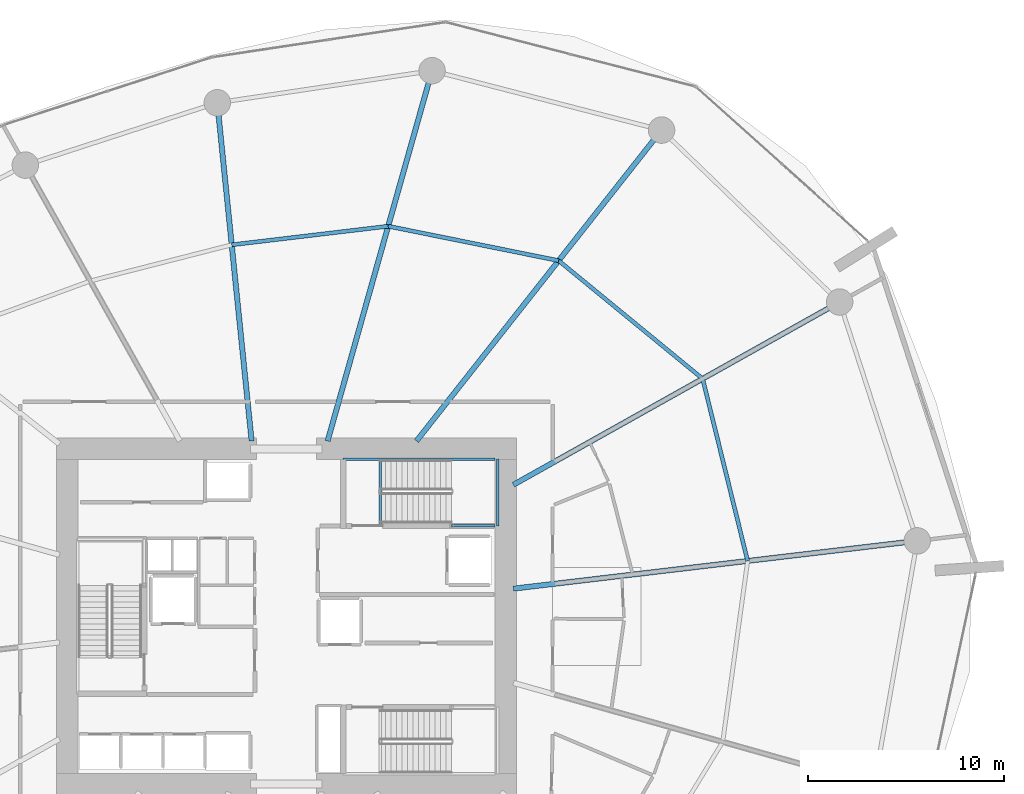
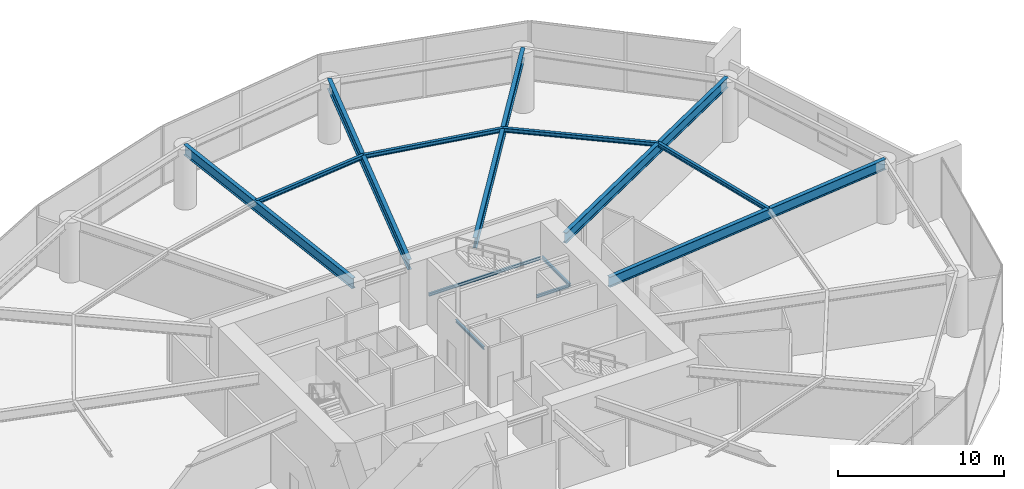
# One storey, part 14 of 22: 13 beams.
"""IFC4 building model written with IfcOpenShell, lengths in metres."""

from ifc_helpers import new_model, si_unit, direction, frame, origin, origin_2d, place, context, subcontext, project, spatial, i_section, extrude, material, material_profile, profile_set, type_object, element, save


model = new_model("IFC4")

# Units and contexts
model_context = context("Model", 3, precision=1e-05, world=origin(), true_north=direction((0.0, 1.0)))
body_context = subcontext(model_context, "Body", "Model", "MODEL_VIEW")
ifc_project = project(units=[si_unit("LENGTHUNIT", "METRE"), si_unit("AREAUNIT", "SQUARE_METRE"), si_unit("VOLUMEUNIT", "CUBIC_METRE"), si_unit("PLANEANGLEUNIT", "RADIAN"), si_unit("MASSUNIT", "GRAM", prefix="KILO")], contexts=[model_context])

# Site, building, storey
site_placement = place(None, origin())
site = spatial("IfcSite", under=ifc_project, at=site_placement, CompositionType="ELEMENT")
building_placement = place(site_placement, origin())
building = spatial("IfcBuilding", under=site, at=building_placement, Name="Kazma Halo Residences", CompositionType="ELEMENT")
storey_placement = place(building_placement, frame((0.0, 0.0, 16.800048828125)))
storey = spatial("IfcBuildingStorey", under=building, at=storey_placement, Name="L03", CompositionType="ELEMENT", Elevation=16.800048828125)

# Beams
ifc_material = material(Name="Steel S355", Category="steel")
ifc_material_profile_1 = material_profile(ifc_material, i_section(OverallWidth=0.26708984375, OverallDepth=0.761962890625, WebThickness=0.014404296875, FlangeThickness=0.021484375, FilletRadius=0.02001953125, at=origin_2d()), Name="W760x173")
ifc_profile_set_1 = profile_set([ifc_material_profile_1], Name="Steel S355")
beam_type_1 = type_object("IfcBeamType", Name="BM-POD-W760", PredefinedType="BEAM", material=ifc_profile_set_1)
beam_1_placement = place(storey_placement, frame((60.0, 48.72021484375, 4.01904296875), z_axis=(0.872493349369, 0.488625987139, 0.0), x_axis=(-0.488625987139, 0.872493349369, 0.0)))
element("IfcBeam", 1, at=beam_1_placement, inside=storey, type_object=beam_type_1, Name="L03 radial floor beam 01", PredefinedType="BEAM", context=body_context, shape_type="SweptSolid", body=[
    extrude(i_section(OverallWidth=0.26708984375, OverallDepth=0.761962890625, WebThickness=0.014404296875, FlangeThickness=0.021484375, FilletRadius=0.02001953125, at=origin_2d()), origin(), (0.0, 0.0, 1.0), 19.0634765625),
])
beam_2_placement = place(storey_placement, frame((55.0556640625, 50.949951171875, 4.01904296875), z_axis=(0.619089277374, 0.785320613915, 0.0), x_axis=(-0.785320613915, 0.619089277374, 0.0)))
element("IfcBeam", 2, at=beam_2_placement, inside=storey, type_object=beam_type_1, Name="L03 radial floor beam 02", PredefinedType="BEAM", context=body_context, shape_type="SweptSolid", body=[
    extrude(i_section(OverallWidth=0.26708984375, OverallDepth=0.761962890625, WebThickness=0.014404296875, FlangeThickness=0.021484375, FilletRadius=0.02001953125, at=origin_2d()), origin(), (0.0, 0.0, 1.0), 20.18701171875),
])
beam_3_placement = place(storey_placement, frame((50.524169921875, 50.949951171875, 4.01904296875), z_axis=(0.271433858007, 0.962457095526, 0.0), x_axis=(-0.962457095526, 0.271433858007, 0.0)))
element("IfcBeam", 3, at=beam_3_placement, inside=storey, type_object=beam_type_1, Name="L03 radial floor beam 03", PredefinedType="BEAM", context=body_context, shape_type="SweptSolid", body=[
    extrude(i_section(OverallWidth=0.26708984375, OverallDepth=0.761962890625, WebThickness=0.014404296875, FlangeThickness=0.021484375, FilletRadius=0.02001953125, at=origin_2d()), origin(), (0.0, 0.0, 1.0), 19.617919921875),
])
beam_4_placement = place(storey_placement, frame((46.64990234375, 50.949951171875, 4.01904296875), z_axis=(-0.100981723867, 0.994888280886, 0.0), x_axis=(-0.994888280886, -0.100981723867, 0.0)))
element("IfcBeam", 4, at=beam_4_placement, inside=storey, type_object=beam_type_1, Name="L03 radial floor beam 04", PredefinedType="BEAM", context=body_context, shape_type="SweptSolid", body=[
    extrude(i_section(OverallWidth=0.26708984375, OverallDepth=0.761962890625, WebThickness=0.014404296875, FlangeThickness=0.021484375, FilletRadius=0.02001953125, at=origin_2d()), origin(), (0.0, 0.0, 1.0), 17.334716796875),
])
beam_5_placement = place(storey_placement, frame((60.0, 43.42041015625, 4.01904296875), z_axis=(0.993069425949, 0.117529210178, 0.0), x_axis=(-0.117529210178, 0.993069425949, 0.0)))
element("IfcBeam", 5, at=beam_5_placement, inside=storey, type_object=beam_type_1, Name="L03 radial floor beam 16", PredefinedType="BEAM", context=body_context, shape_type="SweptSolid", body=[
    extrude(i_section(OverallWidth=0.26708984375, OverallDepth=0.761962890625, WebThickness=0.014404296875, FlangeThickness=0.021484375, FilletRadius=0.02001953125, at=origin_2d()), origin(), (0.0, 0.0, 1.0), 20.7333984375),
])
ifc_material_profile_2 = material_profile(ifc_material, i_section(OverallWidth=0.202880859375, OverallDepth=0.302978515625, WebThickness=0.007568359375, FlangeThickness=0.01318359375, FilletRadius=0.013916015625, at=origin_2d()), Name="W310x60")
ifc_profile_set_2 = profile_set([ifc_material_profile_2], Name="Steel S355")
beam_type_2 = type_object("IfcBeamType", Name="BM-SEC-W310A", PredefinedType="JOIST", material=ifc_profile_set_2)
beam_6_placement = place(storey_placement, frame((69.64697265625, 54.122802734375, 4.24853515625), z_axis=(-0.773208794724, 0.634151527446, 0.0), x_axis=(-0.634151527446, -0.773208794724, 0.0)))
element("IfcBeam", 6, at=beam_6_placement, inside=storey, type_object=beam_type_2, Name="L03 circumferential floor joist 01", PredefinedType="JOIST", context=body_context, shape_type="SweptSolid", body=[
    extrude(i_section(OverallWidth=0.202880859375, OverallDepth=0.302978515625, WebThickness=0.007568359375, FlangeThickness=0.01318359375, FilletRadius=0.013916015625, at=origin_2d()), origin(), (0.0, 0.0, 1.0), 9.49658203125),
])
beam_7_placement = place(storey_placement, frame((62.30419921875, 60.14501953125, 4.24853515625), z_axis=(-0.980192243317, 0.198048393432, 0.0), x_axis=(-0.198048393432, -0.980192243317, 0.0)))
element("IfcBeam", 7, at=beam_7_placement, inside=storey, type_object=beam_type_2, Name="L03 circumferential floor joist 02", PredefinedType="JOIST", context=body_context, shape_type="SweptSolid", body=[
    extrude(i_section(OverallWidth=0.202880859375, OverallDepth=0.302978515625, WebThickness=0.007568359375, FlangeThickness=0.01318359375, FilletRadius=0.013916015625, at=origin_2d()), origin(), (0.0, 0.0, 1.0), 8.866943359375),
])
beam_8_placement = place(storey_placement, frame((53.61279296875, 61.901123046875, 4.24853515625), z_axis=(-0.993006946192, -0.118055939346, 0.0), x_axis=(0.118055939346, -0.993006946192, 0.0)))
element("IfcBeam", 8, at=beam_8_placement, inside=storey, type_object=beam_type_2, Name="L03 circumferential floor joist 03", PredefinedType="JOIST", context=body_context, shape_type="SweptSolid", body=[
    extrude(i_section(OverallWidth=0.202880859375, OverallDepth=0.302978515625, WebThickness=0.007568359375, FlangeThickness=0.01318359375, FilletRadius=0.013916015625, at=origin_2d()), origin(), (0.0, 0.0, 1.0), 8.0341796875),
])
beam_9_placement = place(storey_placement, frame((71.94189453125, 44.833740234375, 4.24853515625), z_axis=(-0.239845066169, 0.970811178466, 0.0), x_axis=(-0.970811178466, -0.239845066169, 0.0)))
element("IfcBeam", 9, at=beam_9_placement, inside=storey, type_object=beam_type_2, Name="L03 circumferential floor joist 16", PredefinedType="JOIST", context=body_context, shape_type="SweptSolid", body=[
    extrude(i_section(OverallWidth=0.202880859375, OverallDepth=0.302978515625, WebThickness=0.007568359375, FlangeThickness=0.01318359375, FilletRadius=0.013916015625, at=origin_2d()), origin(), (0.0, 0.0, 1.0), 9.568359375),
])
ifc_material_profile_3 = material_profile(ifc_material, i_section(OverallWidth=0.133056640625, OverallDepth=0.20703125, WebThickness=0.005859375, FlangeThickness=0.00830078125, FilletRadius=0.010009765625, at=origin_2d()), Name="W200x26.6")
ifc_profile_set_3 = profile_set([ifc_material_profile_3], Name="Steel S355")
beam_type_3 = type_object("IfcBeamType", Name="BM-TRIM-W200", PredefinedType="BEAM", material=ifc_profile_set_3)
beam_10_placement = place(storey_placement, frame((53.199951171875, 46.6201171875, -0.429931640625), z_axis=(0.0, 1.0, 0.0), x_axis=(-1.0, 0.0, 0.0)))
element("IfcBeam", 10, at=beam_10_placement, inside=storey, type_object=beam_type_3, Name="L03 ST-02 floor landing support beam", PredefinedType="BEAM", context=body_context, shape_type="SweptSolid", body=[
    extrude(i_section(OverallWidth=0.133056640625, OverallDepth=0.20703125, WebThickness=0.005859375, FlangeThickness=0.00830078125, FilletRadius=0.010009765625, at=origin_2d()), origin(), (0.0, 0.0, 1.0), 3.3798828125),
])
beam_11_placement = place(storey_placement, frame((51.31005859375, 50.02001953125, 2.094970703125), z_axis=(1.0, 0.0, 0.0), x_axis=(0.0, 1.0, 0.0)))
element("IfcBeam", 11, at=beam_11_placement, inside=storey, type_object=beam_type_3, Name="L03 ST-02 landing north wall ledger", PredefinedType="BEAM", context=body_context, shape_type="SweptSolid", body=[
    extrude(i_section(OverallWidth=0.133056640625, OverallDepth=0.20703125, WebThickness=0.005859375, FlangeThickness=0.00830078125, FilletRadius=0.010009765625, at=origin_2d()), origin(), (0.0, 0.0, 1.0), 7.760009765625),
])
beam_12_placement = place(storey_placement, frame((56.840087890625, 46.6201171875, 2.094970703125), z_axis=(1.0, 0.0, 0.0), x_axis=(0.0, 1.0, 0.0)))
element("IfcBeam", 12, at=beam_12_placement, inside=storey, type_object=beam_type_3, Name="L03 ST-02 landing south wall ledger", PredefinedType="BEAM", context=body_context, shape_type="SweptSolid", body=[
    extrude(i_section(OverallWidth=0.133056640625, OverallDepth=0.20703125, WebThickness=0.005859375, FlangeThickness=0.00830078125, FilletRadius=0.010009765625, at=origin_2d()), origin(), (0.0, 0.0, 1.0), 2.22998046875),
])
beam_13_placement = place(storey_placement, frame((59.18994140625, 46.6201171875, 2.094970703125), z_axis=(0.0, 1.0, 0.0), x_axis=(-1.0, 0.0, 0.0)))
element("IfcBeam", 13, at=beam_13_placement, inside=storey, type_object=beam_type_3, Name="L03 ST-02 landing end wall ledger", PredefinedType="BEAM", context=body_context, shape_type="SweptSolid", body=[
    extrude(i_section(OverallWidth=0.133056640625, OverallDepth=0.20703125, WebThickness=0.005859375, FlangeThickness=0.00830078125, FilletRadius=0.010009765625, at=origin_2d()), origin(), (0.0, 0.0, 1.0), 3.39990234375),
])

save(model, "model.ifc")
